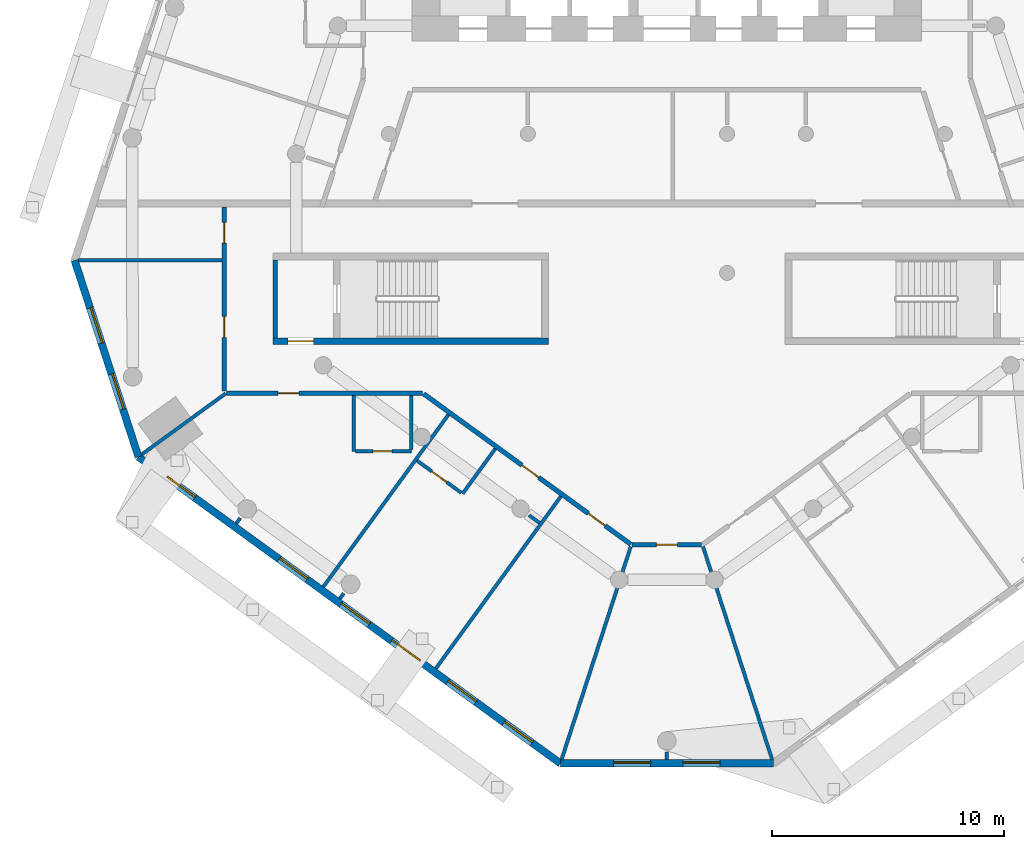
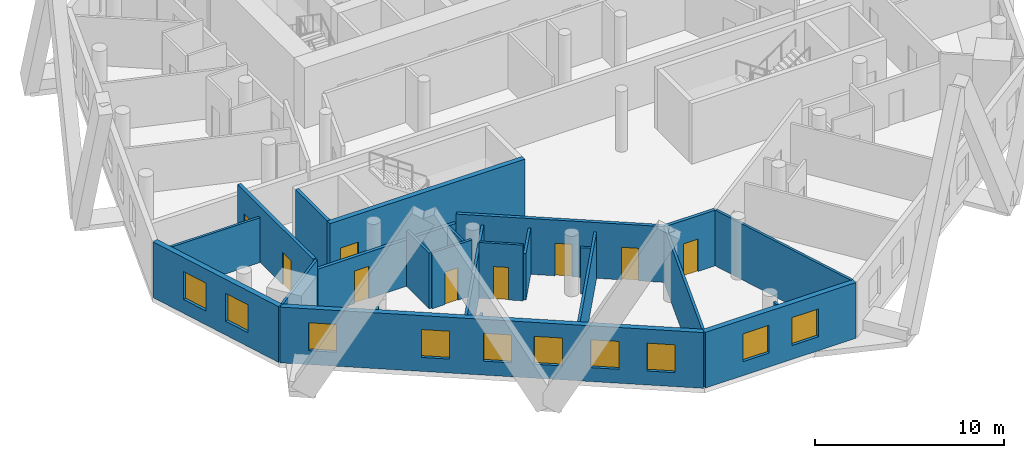
# One storey, part 3 of 10: 24 walls, 10 windows, 9 doors, 19 openings.
"""IFC4 building model written with IfcOpenShell, lengths in metres."""

from ifc_helpers import new_model, si_unit, direction, frame, frame_2d, origin, place, context, subcontext, project, spatial, rectangle, extrude, material, layer, layer_set, type_object, element, fill, save


model = new_model("IFC4")

# Units and contexts
model_context = context("Model", 3, precision=1e-05, world=origin(), true_north=direction((0.0, 1.0)))
body_context = subcontext(model_context, "Body", "Model", "MODEL_VIEW")
ifc_project = project(units=[si_unit("LENGTHUNIT", "METRE"), si_unit("AREAUNIT", "SQUARE_METRE"), si_unit("VOLUMEUNIT", "CUBIC_METRE"), si_unit("PLANEANGLEUNIT", "RADIAN"), si_unit("MASSUNIT", "GRAM", prefix="KILO")], contexts=[model_context])

# Site, building, storey
site_placement = place(None, origin())
site = spatial("IfcSite", under=ifc_project, at=site_placement, CompositionType="ELEMENT")
building_placement = place(site_placement, origin())
building = spatial("IfcBuilding", under=site, at=building_placement, Name="White Candle Pilgrim Tower", CompositionType="ELEMENT")
storey_placement = place(building_placement, frame((0.0, 0.0, 114.199951171875)))
storey = spatial("IfcBuildingStorey", under=building, at=storey_placement, Name="L25", CompositionType="ELEMENT", Elevation=114.199951171875)

# Wall
ifc_material_1 = material(Name="Concrete C60/75", Category="concrete")
ifc_layer_1 = layer(ifc_material_1, 0.199951171875)
ifc_layer_set_1 = layer_set([ifc_layer_1], Name="Core wall 200 mm Concrete C60/75")
wall_type_1 = type_object("IfcWallType", Name="Core wall 200 mm Concrete C60/75", PredefinedType="SHEAR", material=ifc_layer_set_1)
wall_1_placement = place(storey_placement, frame((53.10009765625, 58.199951171875, 0.0), z_axis=(0.0, 0.0, 1.0), x_axis=(0.0, 1.0, 0.0)))
element("IfcWall", 1, at=wall_1_placement, inside=storey, type_object=wall_type_1, Name="WL-L25-C03", PredefinedType="SHEAR", context=body_context, shape_type="SweptSolid", body=[
    extrude(rectangle(XDim=3.35009765625, YDim=0.199951171875, at=frame_2d((1.675048828125, 0.0))), origin(), (0.0, 0.0, 1.0), 3.900146484375),
])

# Wall, opening, door
ifc_material_2 = material(Name="Gypsum board on steel studs", Category="steel")
ifc_layer_2 = layer(ifc_material_2, 0.199951171875)
ifc_layer_set_2 = layer_set([ifc_layer_2], Name="Corridor wall 200 mm EI 45")
wall_type_2 = type_object("IfcWallType", Name="Corridor wall 200 mm EI 45", PredefinedType="PARTITIONING", material=ifc_layer_set_2)
wall_2_placement = place(storey_placement, frame((71.499755859375, 49.265869140625, 0.0), z_axis=(0.0, 0.0, 1.0), x_axis=(-1.0, 0.0, 0.0)))
wall_2 = element("IfcWall", 2, at=wall_2_placement, inside=storey, type_object=wall_type_2, Name="WL-L25-P009", PredefinedType="PARTITIONING", context=body_context, shape_type="SweptSolid", body=[
    extrude(rectangle(XDim=2.99951171875, YDim=0.199951171875, at=frame_2d((1.499755859375, 0.0))), origin(), (0.0, 0.0, 1.0), 3.60009765625),
])
opening_1_placement = place(wall_2_placement, frame((1.0498046875, 0.0, 0.0)))
opening_1 = element("IfcOpeningElement", 3, at=opening_1_placement, cuts=wall_2, Name="Opening T08-109", PredefinedType="OPENING", context=body_context, shape_type="SweptSolid", body=[
    extrude(rectangle(XDim=0.89990234375, YDim=2.10009765625, at=frame_2d((0.449951171875, 1.050048828125))), frame((0.0, 0.10986328125, 0.0), z_axis=(0.0, -1.0, 0.0), x_axis=(1.0, 0.0, 0.0)), (0.0, 0.0, 1.0), 0.219970703125),
])
ifc_material_3 = material(Name="Steel door leaf", Category="steel")
door_type_1 = type_object("IfcDoorType", Name="Fire door 900 x 2100 EI 30", OperationType="NOTDEFINED", PredefinedType="DOOR", material=ifc_material_3)
door_1_placement = place(opening_1_placement, origin())
door_1 = element("IfcDoor", 4, at=door_1_placement, inside=storey, type_object=door_type_1, Name="Door T08-109", OperationType="SINGLE_SWING_LEFT", OverallHeight=2.10009765625, OverallWidth=0.89990234375, PredefinedType="DOOR", context=body_context, shape_type="SweptSolid", body=[
    extrude(rectangle(XDim=0.89990234375, YDim=2.10009765625, at=frame_2d((0.449951171875, 1.050048828125))), frame((0.0, 0.02490234375, 0.0), z_axis=(0.0, -1.0, 0.0), x_axis=(1.0, 0.0, 0.0)), (0.0, 0.0, 1.0), 0.050048828125),
])
fill(opening_1, door_1)

# Wall, openings, doors
wall_3_placement = place(storey_placement, frame((68.44140625, 49.284912109375, 0.0), z_axis=(0.0, 0.0, 1.0), x_axis=(-0.809011116472, 0.587793342447, 0.0)))
wall_3 = element("IfcWall", 5, at=wall_3_placement, inside=storey, type_object=wall_type_2, Name="WL-L25-P010", PredefinedType="PARTITIONING", context=body_context, shape_type="SweptSolid", body=[
    extrude(rectangle(XDim=11.0517578125, YDim=0.199951171875, at=frame_2d((5.52587890625, 0.0))), origin(), (0.0, 0.0, 1.0), 3.60009765625),
])
opening_2_placement = place(wall_3_placement, frame((4.906005859375, 0.0, 0.0)))
opening_2 = element("IfcOpeningElement", 6, at=opening_2_placement, cuts=wall_3, Name="Opening T08-107", PredefinedType="OPENING", context=body_context, shape_type="SweptSolid", body=[
    extrude(rectangle(XDim=0.89990234375, YDim=2.10009765625, at=frame_2d((0.449951171875, 1.050048828125))), frame((0.0, 0.10986328125, 0.0), z_axis=(0.0, -1.0, 0.0), x_axis=(1.0, 0.0, 0.0)), (0.0, 0.0, 1.0), 0.219970703125),
])
opening_3_placement = place(wall_3_placement, frame((1.36181640625, 0.0, 0.0)))
opening_3 = element("IfcOpeningElement", 7, at=opening_3_placement, cuts=wall_3, Name="Opening T08-108", PredefinedType="OPENING", context=body_context, shape_type="SweptSolid", body=[
    extrude(rectangle(XDim=0.89990234375, YDim=2.10009765625, at=frame_2d((0.449951171875, 1.050048828125))), frame((0.0, 0.10986328125, 0.0), z_axis=(0.0, -1.0, 0.0), x_axis=(1.0, 0.0, 0.0)), (0.0, 0.0, 1.0), 0.219970703125),
])
door_2_placement = place(opening_2_placement, origin())
door_2 = element("IfcDoor", 8, at=door_2_placement, inside=storey, type_object=door_type_1, Name="Door T08-107", OperationType="SINGLE_SWING_LEFT", OverallHeight=2.10009765625, OverallWidth=0.89990234375, PredefinedType="DOOR", context=body_context, shape_type="SweptSolid", body=[
    extrude(rectangle(XDim=0.89990234375, YDim=2.10009765625, at=frame_2d((0.449951171875, 1.050048828125))), frame((0.0, 0.02490234375, 0.0), z_axis=(0.0, -1.0, 0.0), x_axis=(1.0, 0.0, 0.0)), (0.0, 0.0, 1.0), 0.050048828125),
])
fill(opening_2, door_2)
door_3_placement = place(opening_3_placement, origin())
door_3 = element("IfcDoor", 9, at=door_3_placement, inside=storey, type_object=door_type_1, Name="Door T08-108", OperationType="SINGLE_SWING_RIGHT", OverallHeight=2.10009765625, OverallWidth=0.89990234375, PredefinedType="DOOR", context=body_context, shape_type="SweptSolid", body=[
    extrude(rectangle(XDim=0.89990234375, YDim=2.10009765625, at=frame_2d((0.449951171875, 1.050048828125))), frame((0.0, 0.02490234375, 0.0), z_axis=(0.0, -1.0, 0.0), x_axis=(1.0, 0.0, 0.0)), (0.0, 0.0, 1.0), 0.050048828125),
])
fill(opening_3, door_3)

# Wall, opening, door
wall_4_placement = place(storey_placement, frame((59.44189453125, 55.800048828125, 0.0), z_axis=(0.0, 0.0, 1.0), x_axis=(-1.0, 0.0, 0.0)))
wall_4 = element("IfcWall", 10, at=wall_4_placement, inside=storey, type_object=wall_type_2, Name="WL-L25-P011", PredefinedType="PARTITIONING", context=body_context, shape_type="SweptSolid", body=[
    extrude(rectangle(XDim=8.44189453125, YDim=0.199951171875, at=frame_2d((4.220947265625, 0.0))), origin(), (0.0, 0.0, 1.0), 3.0),
])
opening_4_placement = place(wall_4_placement, frame((5.3232421875, 0.0, 0.0)))
opening_4 = element("IfcOpeningElement", 11, at=opening_4_placement, cuts=wall_4, Name="Opening T08-105", PredefinedType="OPENING", context=body_context, shape_type="SweptSolid", body=[
    extrude(rectangle(XDim=0.89990234375, YDim=2.10009765625, at=frame_2d((0.449951171875, 1.050048828125))), frame((0.0, 0.10986328125, 0.0), z_axis=(0.0, -1.0, 0.0), x_axis=(1.0, 0.0, 0.0)), (0.0, 0.0, 1.0), 0.219970703125),
])
door_4_placement = place(opening_4_placement, origin())
door_4 = element("IfcDoor", 12, at=door_4_placement, inside=storey, type_object=door_type_1, Name="Door T08-105", OperationType="SINGLE_SWING_LEFT", OverallHeight=2.10009765625, OverallWidth=0.89990234375, PredefinedType="DOOR", context=body_context, shape_type="SweptSolid", body=[
    extrude(rectangle(XDim=0.89990234375, YDim=2.10009765625, at=frame_2d((0.449951171875, 1.050048828125))), frame((0.0, 0.02490234375, 0.0), z_axis=(0.0, -1.0, 0.0), x_axis=(1.0, 0.0, 0.0)), (0.0, 0.0, 1.0), 0.050048828125),
])
fill(opening_4, door_4)

# Wall, openings, doors
wall_5_placement = place(storey_placement, frame((50.89990234375, 55.89990234375, 0.0), z_axis=(0.0, 0.0, 1.0), x_axis=(0.0, 1.0, 0.0)))
wall_5 = element("IfcWall", 13, at=wall_5_placement, inside=storey, type_object=wall_type_2, Name="WL-L25-P012", PredefinedType="PARTITIONING", context=body_context, shape_type="SweptSolid", body=[
    extrude(rectangle(XDim=7.9501953125, YDim=0.199951171875, at=frame_2d((3.97509765625, 0.0))), origin(), (0.0, 0.0, 1.0), 3.60009765625),
])
opening_5_placement = place(wall_5_placement, frame((2.321533203125, 0.0, 0.0)))
opening_5 = element("IfcOpeningElement", 14, at=opening_5_placement, cuts=wall_5, Name="Opening T08-103", PredefinedType="OPENING", context=body_context, shape_type="SweptSolid", body=[
    extrude(rectangle(XDim=0.89990234375, YDim=2.10009765625, at=frame_2d((0.449951171875, 1.050048828125))), frame((0.0, 0.10986328125, 0.0), z_axis=(0.0, -1.0, 0.0), x_axis=(1.0, 0.0, 0.0)), (0.0, 0.0, 1.0), 0.219970703125),
])
opening_6_placement = place(wall_5_placement, frame((6.384033203125, 0.0, 0.0)))
opening_6 = element("IfcOpeningElement", 15, at=opening_6_placement, cuts=wall_5, Name="Opening T08-118", PredefinedType="OPENING", context=body_context, shape_type="SweptSolid", body=[
    extrude(rectangle(XDim=0.89990234375, YDim=2.10009765625, at=frame_2d((0.449951171875, 1.050048828125))), frame((0.0, 0.10986328125, 0.0), z_axis=(0.0, -1.0, 0.0), x_axis=(1.0, 0.0, 0.0)), (0.0, 0.0, 1.0), 0.219970703125),
])
door_5_placement = place(opening_5_placement, origin())
door_5 = element("IfcDoor", 16, at=door_5_placement, inside=storey, type_object=door_type_1, Name="Door T08-103", OperationType="SINGLE_SWING_LEFT", OverallHeight=2.10009765625, OverallWidth=0.89990234375, PredefinedType="DOOR", context=body_context, shape_type="SweptSolid", body=[
    extrude(rectangle(XDim=0.89990234375, YDim=2.10009765625, at=frame_2d((0.449951171875, 1.050048828125))), frame((0.0, 0.02490234375, 0.0), z_axis=(0.0, -1.0, 0.0), x_axis=(1.0, 0.0, 0.0)), (0.0, 0.0, 1.0), 0.050048828125),
])
fill(opening_5, door_5)
door_6_placement = place(opening_6_placement, origin())
door_6 = element("IfcDoor", 17, at=door_6_placement, inside=storey, type_object=door_type_1, Name="Door T08-118", OperationType="SINGLE_SWING_RIGHT", OverallHeight=2.10009765625, OverallWidth=0.89990234375, PredefinedType="DOOR", context=body_context, shape_type="SweptSolid", body=[
    extrude(rectangle(XDim=0.89990234375, YDim=2.10009765625, at=frame_2d((0.449951171875, 1.050048828125))), frame((0.0, 0.02490234375, 0.0), z_axis=(0.0, -1.0, 0.0), x_axis=(1.0, 0.0, 0.0)), (0.0, 0.0, 1.0), 0.050048828125),
])
fill(opening_6, door_6)

# Wall, openings, windows
ifc_material_4 = material(Name="Precast concrete C40/50", Category="concrete")
ifc_layer_3 = layer(ifc_material_4, 0.320068359375)
ifc_layer_set_3 = layer_set([ifc_layer_3], Name="Facade wall EW1 precast concrete C40/50 pier wall with timber-lined reveals")
wall_type_3 = type_object("IfcWallType", Name="Facade wall EW1 precast concrete C40/50 pier wall with timber-lined reveals", PredefinedType="SOLIDWALL", material=ifc_layer_set_3)
wall_6_placement = place(storey_placement, frame((44.431396484375, 61.54296875, 0.0), z_axis=(0.0, 0.0, 1.0), x_axis=(0.309002538333, -0.951061213227, 0.0)))
wall_6 = element("IfcWall", 18, at=wall_6_placement, inside=storey, type_object=wall_type_3, Name="Facade wall L25 W chamfer", PredefinedType="SOLIDWALL", context=body_context, shape_type="SweptSolid", body=[
    extrude(rectangle(XDim=8.921630859375, YDim=0.320068359375, at=frame_2d((4.4609375, 0.0))), origin(), (0.0, 0.0, 1.0), 3.60009765625),
])
opening_7_placement = place(wall_6_placement, frame((2.160888671875, 0.0, 0.89990234375)))
opening_7 = element("IfcOpeningElement", 19, at=opening_7_placement, cuts=wall_6, Name="Opening W2", PredefinedType="OPENING", context=body_context, shape_type="SweptSolid", body=[
    extrude(rectangle(XDim=1.60009765625, YDim=1.800048828125, at=frame_2d((0.800048828125, 0.89990234375))), frame((0.0, 0.169921875, 0.0), z_axis=(0.0, -1.0, 0.0), x_axis=(1.0, 0.0, 0.0)), (0.0, 0.0, 1.0), 0.340087890625),
])
opening_8_placement = place(wall_6_placement, frame((5.160888671875, 0.0, 0.89990234375)))
opening_8 = element("IfcOpeningElement", 20, at=opening_8_placement, cuts=wall_6, Name="Opening W2", PredefinedType="OPENING", context=body_context, shape_type="SweptSolid", body=[
    extrude(rectangle(XDim=1.60009765625, YDim=1.800048828125, at=frame_2d((0.800048828125, 0.89990234375))), frame((0.0, 0.169921875, 0.0), z_axis=(0.0, -1.0, 0.0), x_axis=(1.0, 0.0, 0.0)), (0.0, 0.0, 1.0), 0.340087890625),
])
ifc_material_5 = material(Name="Timber frame with triple glazing", Category="wood")
window_type_1 = type_object("IfcWindowType", Name="Window W2 1600x1800 timber frame triple glazing", PartitioningType="SINGLE_PANEL", PredefinedType="WINDOW", material=ifc_material_5)
window_1_placement = place(opening_7_placement, origin())
window_1 = element("IfcWindow", 21, at=window_1_placement, inside=storey, type_object=window_type_1, Name="Window W2 L25 W chamfer 1", OverallHeight=1.800048828125, OverallWidth=1.60009765625, PartitioningType="SINGLE_PANEL", PredefinedType="WINDOW", context=body_context, shape_type="SweptSolid", body=[
    extrude(rectangle(XDim=1.60009765625, YDim=1.800048828125, at=frame_2d((0.800048828125, 0.89990234375))), frame((0.0, 0.070068359375, 0.0), z_axis=(0.0, -1.0, 0.0), x_axis=(1.0, 0.0, 0.0)), (0.0, 0.0, 1.0), 0.06005859375),
])
fill(opening_7, window_1)
window_2_placement = place(opening_8_placement, origin())
window_2 = element("IfcWindow", 22, at=window_2_placement, inside=storey, type_object=window_type_1, Name="Window W2 L25 W chamfer 2", OverallHeight=1.800048828125, OverallWidth=1.60009765625, PartitioningType="SINGLE_PANEL", PredefinedType="WINDOW", context=body_context, shape_type="SweptSolid", body=[
    extrude(rectangle(XDim=1.60009765625, YDim=1.800048828125, at=frame_2d((0.800048828125, 0.89990234375))), frame((0.0, 0.070068359375, 0.0), z_axis=(0.0, -1.0, 0.0), x_axis=(1.0, 0.0, 0.0)), (0.0, 0.0, 1.0), 0.06005859375),
])
fill(opening_8, window_2)

wall_7_placement = place(storey_placement, frame((47.188232421875, 53.057861328125, 0.0), z_axis=(0.0, 0.0, 1.0), x_axis=(0.809016442358, -0.587786012077, 0.0)))
wall_7 = element("IfcWall", 23, at=wall_7_placement, inside=storey, type_object=wall_type_3, Name="Facade wall L25 SW", PredefinedType="SOLIDWALL", context=body_context, shape_type="SweptSolid", body=[
    extrude(rectangle(XDim=22.511474609375, YDim=0.320068359375, at=frame_2d((11.255859375, 0.0))), origin(), (0.0, 0.0, 1.0), 3.60009765625),
])
opening_9_placement = place(wall_7_placement, frame((1.505615234375, 0.0, 0.89990234375)))
opening_9 = element("IfcOpeningElement", 24, at=opening_9_placement, cuts=wall_7, Name="Opening W1", PredefinedType="OPENING", context=body_context, shape_type="SweptSolid", body=[
    extrude(rectangle(XDim=1.5, YDim=1.800048828125, at=frame_2d((0.75, 0.89990234375))), frame((0.0, 0.169921875, 0.0), z_axis=(0.0, -1.0, 0.0), x_axis=(1.0, 0.0, 0.0)), (0.0, 0.0, 1.0), 0.340087890625),
])
opening_10_placement = place(wall_7_placement, frame((7.505615234375, 0.0, 0.89990234375)))
opening_10 = element("IfcOpeningElement", 25, at=opening_10_placement, cuts=wall_7, Name="Opening W1", PredefinedType="OPENING", context=body_context, shape_type="SweptSolid", body=[
    extrude(rectangle(XDim=1.5, YDim=1.800048828125, at=frame_2d((0.75, 0.89990234375))), frame((0.0, 0.169921875, 0.0), z_axis=(0.0, -1.0, 0.0), x_axis=(1.0, 0.0, 0.0)), (0.0, 0.0, 1.0), 0.340087890625),
])
opening_11_placement = place(wall_7_placement, frame((10.80859375, 0.0, 0.89990234375)))
opening_11 = element("IfcOpeningElement", 26, at=opening_11_placement, cuts=wall_7, Name="Opening W1", PredefinedType="OPENING", context=body_context, shape_type="SweptSolid", body=[
    extrude(rectangle(XDim=1.5, YDim=1.800048828125, at=frame_2d((0.75, 0.89990234375))), frame((0.0, 0.169921875, 0.0), z_axis=(0.0, -1.0, 0.0), x_axis=(1.0, 0.0, 0.0)), (0.0, 0.0, 1.0), 0.340087890625),
])
opening_12_placement = place(wall_7_placement, frame((13.505615234375, 0.0, 0.89990234375)))
opening_12 = element("IfcOpeningElement", 27, at=opening_12_placement, cuts=wall_7, Name="Opening W1", PredefinedType="OPENING", context=body_context, shape_type="SweptSolid", body=[
    extrude(rectangle(XDim=1.5, YDim=1.800048828125, at=frame_2d((0.75, 0.89990234375))), frame((0.0, 0.169921875, 0.0), z_axis=(0.0, -1.0, 0.0), x_axis=(1.0, 0.0, 0.0)), (0.0, 0.0, 1.0), 0.340087890625),
])
opening_13_placement = place(wall_7_placement, frame((16.505615234375, 0.0, 0.89990234375)))
opening_13 = element("IfcOpeningElement", 28, at=opening_13_placement, cuts=wall_7, Name="Opening W1", PredefinedType="OPENING", context=body_context, shape_type="SweptSolid", body=[
    extrude(rectangle(XDim=1.5, YDim=1.800048828125, at=frame_2d((0.75, 0.89990234375))), frame((0.0, 0.169921875, 0.0), z_axis=(0.0, -1.0, 0.0), x_axis=(1.0, 0.0, 0.0)), (0.0, 0.0, 1.0), 0.340087890625),
])
opening_14_placement = place(wall_7_placement, frame((19.505615234375, 0.0, 0.89990234375)))
opening_14 = element("IfcOpeningElement", 29, at=opening_14_placement, cuts=wall_7, Name="Opening W1", PredefinedType="OPENING", context=body_context, shape_type="SweptSolid", body=[
    extrude(rectangle(XDim=1.5, YDim=1.800048828125, at=frame_2d((0.75, 0.89990234375))), frame((0.0, 0.169921875, 0.0), z_axis=(0.0, -1.0, 0.0), x_axis=(1.0, 0.0, 0.0)), (0.0, 0.0, 1.0), 0.340087890625),
])
window_type_2 = type_object("IfcWindowType", Name="Window W1 1500x1800 timber frame triple glazing", PartitioningType="SINGLE_PANEL", PredefinedType="WINDOW", material=ifc_material_5)
window_3_placement = place(opening_9_placement, origin())
window_3 = element("IfcWindow", 30, at=window_3_placement, inside=storey, type_object=window_type_2, Name="Window W1 L25 SW 1", OverallHeight=1.800048828125, OverallWidth=1.5, PartitioningType="SINGLE_PANEL", PredefinedType="WINDOW", context=body_context, shape_type="SweptSolid", body=[
    extrude(rectangle(XDim=1.5, YDim=1.800048828125, at=frame_2d((0.75, 0.89990234375))), frame((0.0, 0.070068359375, 0.0), z_axis=(0.0, -1.0, 0.0), x_axis=(1.0, 0.0, 0.0)), (0.0, 0.0, 1.0), 0.06005859375),
])
fill(opening_9, window_3)
window_4_placement = place(opening_10_placement, origin())
window_4 = element("IfcWindow", 31, at=window_4_placement, inside=storey, type_object=window_type_2, Name="Window W1 L25 SW 3", OverallHeight=1.800048828125, OverallWidth=1.5, PartitioningType="SINGLE_PANEL", PredefinedType="WINDOW", context=body_context, shape_type="SweptSolid", body=[
    extrude(rectangle(XDim=1.5, YDim=1.800048828125, at=frame_2d((0.75, 0.89990234375))), frame((0.0, 0.070068359375, 0.0), z_axis=(0.0, -1.0, 0.0), x_axis=(1.0, 0.0, 0.0)), (0.0, 0.0, 1.0), 0.06005859375),
])
fill(opening_10, window_4)
window_5_placement = place(opening_11_placement, origin())
window_5 = element("IfcWindow", 32, at=window_5_placement, inside=storey, type_object=window_type_2, Name="Window W1 L25 SW 4", OverallHeight=1.800048828125, OverallWidth=1.5, PartitioningType="SINGLE_PANEL", PredefinedType="WINDOW", context=body_context, shape_type="SweptSolid", body=[
    extrude(rectangle(XDim=1.5, YDim=1.800048828125, at=frame_2d((0.75, 0.89990234375))), frame((0.0, 0.070068359375, 0.0), z_axis=(0.0, -1.0, 0.0), x_axis=(1.0, 0.0, 0.0)), (0.0, 0.0, 1.0), 0.06005859375),
])
fill(opening_11, window_5)
window_6_placement = place(opening_12_placement, origin())
window_6 = element("IfcWindow", 33, at=window_6_placement, inside=storey, type_object=window_type_2, Name="Window W1 L25 SW 5", OverallHeight=1.800048828125, OverallWidth=1.5, PartitioningType="SINGLE_PANEL", PredefinedType="WINDOW", context=body_context, shape_type="SweptSolid", body=[
    extrude(rectangle(XDim=1.5, YDim=1.800048828125, at=frame_2d((0.75, 0.89990234375))), frame((0.0, 0.070068359375, 0.0), z_axis=(0.0, -1.0, 0.0), x_axis=(1.0, 0.0, 0.0)), (0.0, 0.0, 1.0), 0.06005859375),
])
fill(opening_12, window_6)
window_7_placement = place(opening_13_placement, origin())
window_7 = element("IfcWindow", 34, at=window_7_placement, inside=storey, type_object=window_type_2, Name="Window W1 L25 SW 6", OverallHeight=1.800048828125, OverallWidth=1.5, PartitioningType="SINGLE_PANEL", PredefinedType="WINDOW", context=body_context, shape_type="SweptSolid", body=[
    extrude(rectangle(XDim=1.5, YDim=1.800048828125, at=frame_2d((0.75, 0.89990234375))), frame((0.0, 0.070068359375, 0.0), z_axis=(0.0, -1.0, 0.0), x_axis=(1.0, 0.0, 0.0)), (0.0, 0.0, 1.0), 0.06005859375),
])
fill(opening_13, window_7)
window_8_placement = place(opening_14_placement, origin())
window_8 = element("IfcWindow", 35, at=window_8_placement, inside=storey, type_object=window_type_2, Name="Window W1 L25 SW 7", OverallHeight=1.800048828125, OverallWidth=1.5, PartitioningType="SINGLE_PANEL", PredefinedType="WINDOW", context=body_context, shape_type="SweptSolid", body=[
    extrude(rectangle(XDim=1.5, YDim=1.800048828125, at=frame_2d((0.75, 0.89990234375))), frame((0.0, 0.070068359375, 0.0), z_axis=(0.0, -1.0, 0.0), x_axis=(1.0, 0.0, 0.0)), (0.0, 0.0, 1.0), 0.06005859375),
])
fill(opening_14, window_8)

wall_8_placement = place(storey_placement, frame((65.400390625, 39.825927734375, 0.0), z_axis=(0.0, 0.0, 1.0), x_axis=(1.0, 0.0, 0.0)))
wall_8 = element("IfcWall", 36, at=wall_8_placement, inside=storey, type_object=wall_type_3, Name="Facade wall L25 S chamfer", PredefinedType="SOLIDWALL", context=body_context, shape_type="SweptSolid", body=[
    extrude(rectangle(XDim=9.19921875, YDim=0.320068359375, at=frame_2d((4.599609375, 0.0))), origin(), (0.0, 0.0, 1.0), 3.60009765625),
])
opening_15_placement = place(wall_8_placement, frame((2.299560546875, 0.0, 0.89990234375)))
opening_15 = element("IfcOpeningElement", 37, at=opening_15_placement, cuts=wall_8, Name="Opening W2", PredefinedType="OPENING", context=body_context, shape_type="SweptSolid", body=[
    extrude(rectangle(XDim=1.60009765625, YDim=1.800048828125, at=frame_2d((0.800048828125, 0.89990234375))), frame((0.0, 0.169921875, 0.0), z_axis=(0.0, -1.0, 0.0), x_axis=(1.0, 0.0, 0.0)), (0.0, 0.0, 1.0), 0.340087890625),
])
opening_16_placement = place(wall_8_placement, frame((5.299560546875, 0.0, 0.89990234375)))
opening_16 = element("IfcOpeningElement", 38, at=opening_16_placement, cuts=wall_8, Name="Opening W2", PredefinedType="OPENING", context=body_context, shape_type="SweptSolid", body=[
    extrude(rectangle(XDim=1.60009765625, YDim=1.800048828125, at=frame_2d((0.800048828125, 0.89990234375))), frame((0.0, 0.169921875, 0.0), z_axis=(0.0, -1.0, 0.0), x_axis=(1.0, 0.0, 0.0)), (0.0, 0.0, 1.0), 0.340087890625),
])
window_9_placement = place(opening_15_placement, origin())
window_9 = element("IfcWindow", 39, at=window_9_placement, inside=storey, type_object=window_type_1, Name="Window W2 L25 S chamfer 1", OverallHeight=1.800048828125, OverallWidth=1.60009765625, PartitioningType="SINGLE_PANEL", PredefinedType="WINDOW", context=body_context, shape_type="SweptSolid", body=[
    extrude(rectangle(XDim=1.60009765625, YDim=1.800048828125, at=frame_2d((0.800048828125, 0.89990234375))), frame((0.0, 0.070068359375, 0.0), z_axis=(0.0, -1.0, 0.0), x_axis=(1.0, 0.0, 0.0)), (0.0, 0.0, 1.0), 0.06005859375),
])
fill(opening_15, window_9)
window_10_placement = place(opening_16_placement, origin())
window_10 = element("IfcWindow", 40, at=window_10_placement, inside=storey, type_object=window_type_1, Name="Window W2 L25 S chamfer 2", OverallHeight=1.800048828125, OverallWidth=1.60009765625, PartitioningType="SINGLE_PANEL", PredefinedType="WINDOW", context=body_context, shape_type="SweptSolid", body=[
    extrude(rectangle(XDim=1.60009765625, YDim=1.800048828125, at=frame_2d((0.800048828125, 0.89990234375))), frame((0.0, 0.070068359375, 0.0), z_axis=(0.0, -1.0, 0.0), x_axis=(1.0, 0.0, 0.0)), (0.0, 0.0, 1.0), 0.06005859375),
])
fill(opening_16, window_10)

# Walls
ifc_layer_4 = layer(ifc_material_2, 0.14990234375)
ifc_layer_set_4 = layer_set([ifc_layer_4], Name="Partition 150 mm EI 60")
wall_type_4 = type_object("IfcWallType", Name="Partition 150 mm EI 60", PredefinedType="PARTITIONING", material=ifc_layer_set_4)
wall_9_placement = place(storey_placement, frame((44.599609375, 61.54296875, 0.0), z_axis=(0.0, 0.0, 1.0), x_axis=(1.0, 0.0, 0.0)))
element("IfcWall", 41, at=wall_9_placement, inside=storey, type_object=wall_type_4, Name="WL-L25-P017", PredefinedType="PARTITIONING", context=body_context, shape_type="SweptSolid", body=[
    extrude(rectangle(XDim=6.200439453125, YDim=0.14990234375, at=frame_2d((3.10009765625, 0.0))), origin(), (0.0, 0.0, 1.0), 2.900146484375),
])
wall_10_placement = place(storey_placement, frame((47.324462890625, 53.15673828125, 0.0), z_axis=(0.0, 0.0, 1.0), x_axis=(0.809006482004, 0.587799721058, 0.0)))
element("IfcWall", 42, at=wall_10_placement, inside=storey, type_object=wall_type_4, Name="WL-L25-P018", PredefinedType="PARTITIONING", context=body_context, shape_type="SweptSolid", body=[
    extrude(rectangle(XDim=4.48876953125, YDim=0.14990234375, at=frame_2d((2.244384765625, 0.0))), origin(), (0.0, 0.0, 1.0), 3.60009765625),
])
for number, where, z_axis, x_axis, name in (
    (43, (65.452392578125, 39.98583984375, 0.0), (0.0, 0.0, 1.0), (0.309017584441, 0.951056324571, 0.0), "WL-L25-P019"),
    (44, (74.547607421875, 39.98583984375, 0.0), (0.0, 0.0, 1.0), (-0.309017584441, 0.951056324571, 0.0), "WL-L25-P020"),
):
    element("IfcWall", number, at=place(storey_placement, frame(where, z_axis=z_axis, x_axis=x_axis)), inside=storey, type_object=wall_type_4, Name=name, PredefinedType="PARTITIONING", context=body_context, shape_type="SweptSolid", body=[
        extrude(rectangle(XDim=9.672607421875, YDim=0.14990234375, at=frame_2d((4.83642578125, 0.0))), origin(), (0.0, 0.0, 1.0), 3.60009765625),
    ])
wall_11_placement = place(storey_placement, frame((55.1748046875, 47.452880859375, 0.0), z_axis=(0.0, 0.0, 1.0), x_axis=(0.587795283542, 0.809009706151, 0.0)))
element("IfcWall", 45, at=wall_11_placement, inside=storey, type_object=wall_type_4, Name="WL-L25-P033", PredefinedType="PARTITIONING", context=body_context, shape_type="SweptSolid", body=[
    extrude(rectangle(XDim=9.18017578125, YDim=0.14990234375, at=frame_2d((4.590087890625, 0.0))), origin(), (0.0, 0.0, 1.0), 3.0),
])
wall_12_placement = place(storey_placement, frame((60.029052734375, 43.92626953125, 0.0), z_axis=(0.0, 0.0, 1.0), x_axis=(0.587777877013, 0.809022352778, 0.0)))
element("IfcWall", 46, at=wall_12_placement, inside=storey, type_object=wall_type_4, Name="WL-L25-P034", PredefinedType="PARTITIONING", context=body_context, shape_type="SweptSolid", body=[
    extrude(rectangle(XDim=9.179931640625, YDim=0.14990234375, at=frame_2d((4.58984375, 0.0))), origin(), (0.0, 0.0, 1.0), 3.0),
])
wall_13_placement = place(storey_placement, frame((56.474365234375, 55.699951171875, 0.0), z_axis=(0.0, 0.0, 1.0), x_axis=(0.0, -1.0, 0.0)))
element("IfcWall", 47, at=wall_13_placement, inside=storey, type_object=wall_type_4, Name="WL-L25-P035", PredefinedType="PARTITIONING", context=body_context, shape_type="SweptSolid", body=[
    extrude(rectangle(XDim=2.39990234375, YDim=0.14990234375, at=frame_2d((1.199951171875, 0.0))), origin(), (0.0, 0.0, 1.0), 3.60009765625),
])

# Wall, opening, door
wall_14_placement = place(storey_placement, frame((58.974365234375, 53.300048828125, 0.0), z_axis=(0.0, 0.0, 1.0), x_axis=(-1.0, 0.0, 0.0)))
wall_14 = element("IfcWall", 48, at=wall_14_placement, inside=storey, type_object=wall_type_4, Name="WL-L25-P036", PredefinedType="PARTITIONING", context=body_context, shape_type="SweptSolid", body=[
    extrude(rectangle(XDim=2.425048828125, YDim=0.14990234375, at=frame_2d((1.21240234375, 0.0))), origin(), (0.0, 0.0, 1.0), 3.60009765625),
])
opening_17_placement = place(wall_14_placement, frame((0.85009765625, 0.0, 0.0)))
opening_17 = element("IfcOpeningElement", 49, at=opening_17_placement, cuts=wall_14, Name="Opening T08-104", PredefinedType="OPENING", context=body_context, shape_type="SweptSolid", body=[
    extrude(rectangle(XDim=0.800048828125, YDim=2.10009765625, at=frame_2d((0.39990234375, 1.050048828125))), frame((0.0, 0.0849609375, 0.0), z_axis=(0.0, -1.0, 0.0), x_axis=(1.0, 0.0, 0.0)), (0.0, 0.0, 1.0), 0.169921875),
])
door_type_2 = type_object("IfcDoorType", Name="Fire door 800 x 2100 EI 30", OperationType="NOTDEFINED", PredefinedType="DOOR", material=ifc_material_3)
door_7_placement = place(opening_17_placement, origin())
door_7 = element("IfcDoor", 50, at=door_7_placement, inside=storey, type_object=door_type_2, Name="Door T08-104", OperationType="SINGLE_SWING_RIGHT", OverallHeight=2.10009765625, OverallWidth=0.800048828125, PredefinedType="DOOR", context=body_context, shape_type="SweptSolid", body=[
    extrude(rectangle(XDim=0.800048828125, YDim=2.10009765625, at=frame_2d((0.39990234375, 1.050048828125))), frame((0.0, 0.02490234375, 0.0), z_axis=(0.0, -1.0, 0.0), x_axis=(1.0, 0.0, 0.0)), (0.0, 0.0, 1.0), 0.050048828125),
])
fill(opening_17, door_7)

# Walls
wall_15_placement = place(storey_placement, frame((58.974365234375, 55.699951171875, 0.0), z_axis=(0.0, 0.0, 1.0), x_axis=(0.0, -1.0, 0.0)))
element("IfcWall", 51, at=wall_15_placement, inside=storey, type_object=wall_type_4, Name="WL-L25-P037", PredefinedType="PARTITIONING", context=body_context, shape_type="SweptSolid", body=[
    extrude(rectangle(XDim=2.324951171875, YDim=0.14990234375, at=frame_2d((1.16259765625, 0.0))), origin(), (0.0, 0.0, 1.0), 3.0),
])
wall_16_placement = place(storey_placement, frame((62.59326171875, 53.410400390625, 0.0), z_axis=(0.0, 0.0, 1.0), x_axis=(-0.587724050354, -0.809061456649, 0.0)))
element("IfcWall", 52, at=wall_16_placement, inside=storey, type_object=wall_type_4, Name="WL-L25-P038", PredefinedType="PARTITIONING", context=body_context, shape_type="SweptSolid", body=[
    extrude(rectangle(XDim=2.400146484375, YDim=0.14990234375, at=frame_2d((1.2001953125, 0.0))), origin(), (0.0, 0.0, 1.0), 3.0),
])

# Wall, opening, door
wall_17_placement = place(storey_placement, frame((59.220703125, 52.89404296875, 0.0), z_axis=(0.0, 0.0, 1.0), x_axis=(0.809032466197, -0.587763956567, 0.0)))
wall_17 = element("IfcWall", 53, at=wall_17_placement, inside=storey, type_object=wall_type_4, Name="WL-L25-P039", PredefinedType="PARTITIONING", context=body_context, shape_type="SweptSolid", body=[
    extrude(rectangle(XDim=2.35009765625, YDim=0.14990234375, at=frame_2d((1.175048828125, 0.0))), origin(), (0.0, 0.0, 1.0), 3.60009765625),
])
opening_18_placement = place(wall_17_placement, frame((0.77490234375, 0.0, 0.0)))
opening_18 = element("IfcOpeningElement", 54, at=opening_18_placement, cuts=wall_17, Name="Opening T08-106", PredefinedType="OPENING", context=body_context, shape_type="SweptSolid", body=[
    extrude(rectangle(XDim=0.800048828125, YDim=2.10009765625, at=frame_2d((0.39990234375, 1.050048828125))), frame((0.0, 0.0849609375, 0.0), z_axis=(0.0, -1.0, 0.0), x_axis=(1.0, 0.0, 0.0)), (0.0, 0.0, 1.0), 0.169921875),
])
door_8_placement = place(opening_18_placement, frame((0.800048828125, 0.0, 0.0), z_axis=(0.0, 0.0, 1.0), x_axis=(-1.0, 0.0, 0.0)))
door_8 = element("IfcDoor", 55, at=door_8_placement, inside=storey, type_object=door_type_2, Name="Door T08-106", OperationType="SINGLE_SWING_LEFT", OverallHeight=2.10009765625, OverallWidth=0.800048828125, PredefinedType="DOOR", context=body_context, shape_type="SweptSolid", body=[
    extrude(rectangle(XDim=0.800048828125, YDim=2.10009765625, at=frame_2d((0.39990234375, 1.050048828125))), frame((0.0, 0.02490234375, 0.0), z_axis=(0.0, -1.0, 0.0), x_axis=(1.0, 0.0, 0.0)), (0.0, 0.0, 1.0), 0.050048828125),
])
fill(opening_18, door_8)

# Walls
wall_18_placement = place(storey_placement, frame((51.583984375, 50.419677734375, 0.0), z_axis=(0.0, 0.0, 1.0), x_axis=(-0.587920898532, -0.808918424236, 0.0)))
element("IfcWall", 56, at=wall_18_placement, inside=storey, type_object=wall_type_4, Name="WL-L25-P050", PredefinedType="PARTITIONING", context=body_context, shape_type="SweptSolid", body=[
    extrude(rectangle(XDim=0.28955078125, YDim=0.14990234375, at=frame_2d((0.144775390625, 0.0))), origin(), (0.0, 0.0, 1.0), 3.60009765625),
])
wall_19_placement = place(storey_placement, frame((56.053955078125, 47.169677734375, 0.0), z_axis=(0.0, 0.0, 1.0), x_axis=(-0.587565700177, -0.809176462816, 0.0)))
element("IfcWall", 57, at=wall_19_placement, inside=storey, type_object=wall_type_4, Name="WL-L25-P051", PredefinedType="PARTITIONING", context=body_context, shape_type="SweptSolid", body=[
    extrude(rectangle(XDim=0.28759765625, YDim=0.14990234375, at=frame_2d((0.143798828125, 0.0))), origin(), (0.0, 0.0, 1.0), 3.60009765625),
])
wall_20_placement = place(storey_placement, frame((70.002197265625, 40.31005859375, 0.0), z_axis=(0.0, 0.0, 1.0), x_axis=(0.0, -1.0, 0.0)))
element("IfcWall", 58, at=wall_20_placement, inside=storey, type_object=wall_type_4, Name="WL-L25-P052", PredefinedType="PARTITIONING", context=body_context, shape_type="SweptSolid", body=[
    extrude(rectangle(XDim=0.32421875, YDim=0.14990234375, at=frame_2d((0.162109375, 0.0))), origin(), (0.0, 0.0, 1.0), 3.60009765625),
])
wall_21_placement = place(storey_placement, frame((64.050537109375, 50.539306640625, 0.0), z_axis=(0.0, 0.0, 1.0), x_axis=(0.808981707372, -0.58783381762, 0.0)))
element("IfcWall", 59, at=wall_21_placement, inside=storey, type_object=wall_type_4, Name="WL-L25-P054", PredefinedType="PARTITIONING", context=body_context, shape_type="SweptSolid", body=[
    extrude(rectangle(XDim=0.55859375, YDim=0.14990234375, at=frame_2d((0.279296875, 0.0))), origin(), (0.0, 0.0, 1.0), 3.0),
])

# Wall, opening, door
ifc_layer_5 = layer(ifc_material_1, 0.300048828125)
ifc_layer_set_5 = layer_set([ifc_layer_5], Name="Stair shaft wall 300 mm Concrete C60/75")
wall_type_5 = type_object("IfcWallType", Name="Stair shaft wall 300 mm Concrete C60/75", PredefinedType="SHEAR", material=ifc_layer_set_5)
wall_22_placement = place(storey_placement, frame((53.0, 58.050048828125, 0.0), z_axis=(0.0, 0.0, 1.0), x_axis=(1.0, 0.0, 0.0)))
wall_22 = element("IfcWall", 60, at=wall_22_placement, inside=storey, type_object=wall_type_5, Name="WL-L25-C01", PredefinedType="SHEAR", context=body_context, shape_type="SweptSolid", body=[
    extrude(rectangle(XDim=11.89990234375, YDim=0.300048828125, at=frame_2d((5.949951171875, 0.0))), origin(), (0.0, 0.0, 1.0), 3.900146484375),
])
opening_19_placement = place(wall_22_placement, frame((0.64990234375, 0.0, 0.0)))
opening_19 = element("IfcOpeningElement", 61, at=opening_19_placement, cuts=wall_22, Name="Opening T08-007", PredefinedType="OPENING", context=body_context, shape_type="SweptSolid", body=[
    extrude(rectangle(XDim=1.10009765625, YDim=2.10009765625, at=frame_2d((0.550048828125, 1.050048828125))), frame((0.0, 0.159912109375, 0.0), z_axis=(0.0, -1.0, 0.0), x_axis=(1.0, 0.0, 0.0)), (0.0, 0.0, 1.0), 0.320068359375),
])
door_type_3 = type_object("IfcDoorType", Name="Fire door 1100 x 2100 EI 60", OperationType="NOTDEFINED", PredefinedType="DOOR", material=ifc_material_3)
door_9_placement = place(opening_19_placement, origin())
door_9 = element("IfcDoor", 62, at=door_9_placement, inside=storey, type_object=door_type_3, Name="Door T08-007", OperationType="SINGLE_SWING_LEFT", OverallHeight=2.10009765625, OverallWidth=1.10009765625, PredefinedType="DOOR", context=body_context, shape_type="SweptSolid", body=[
    extrude(rectangle(XDim=1.10009765625, YDim=2.10009765625, at=frame_2d((0.550048828125, 1.050048828125))), frame((0.0, 0.02490234375, 0.0), z_axis=(0.0, -1.0, 0.0), x_axis=(1.0, 0.0, 0.0)), (0.0, 0.0, 1.0), 0.050048828125),
])
fill(opening_19, door_9)

save(model, "model.ifc")
